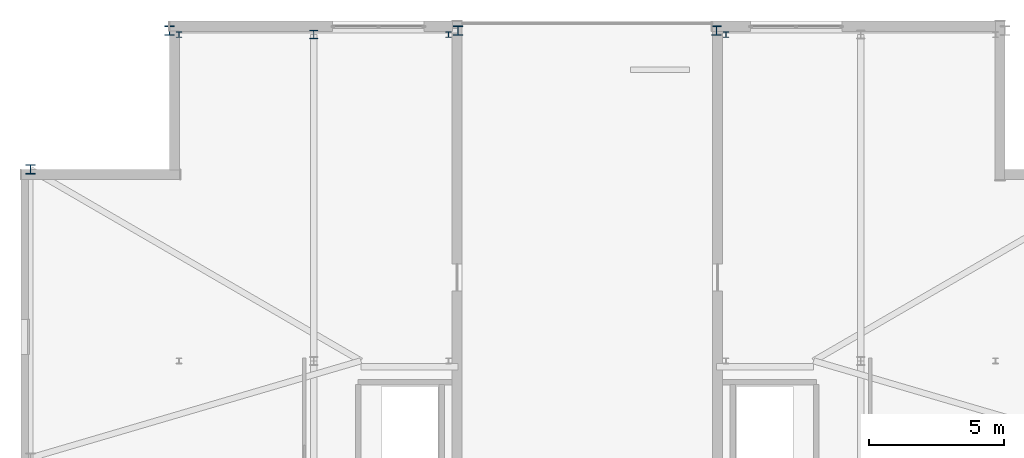
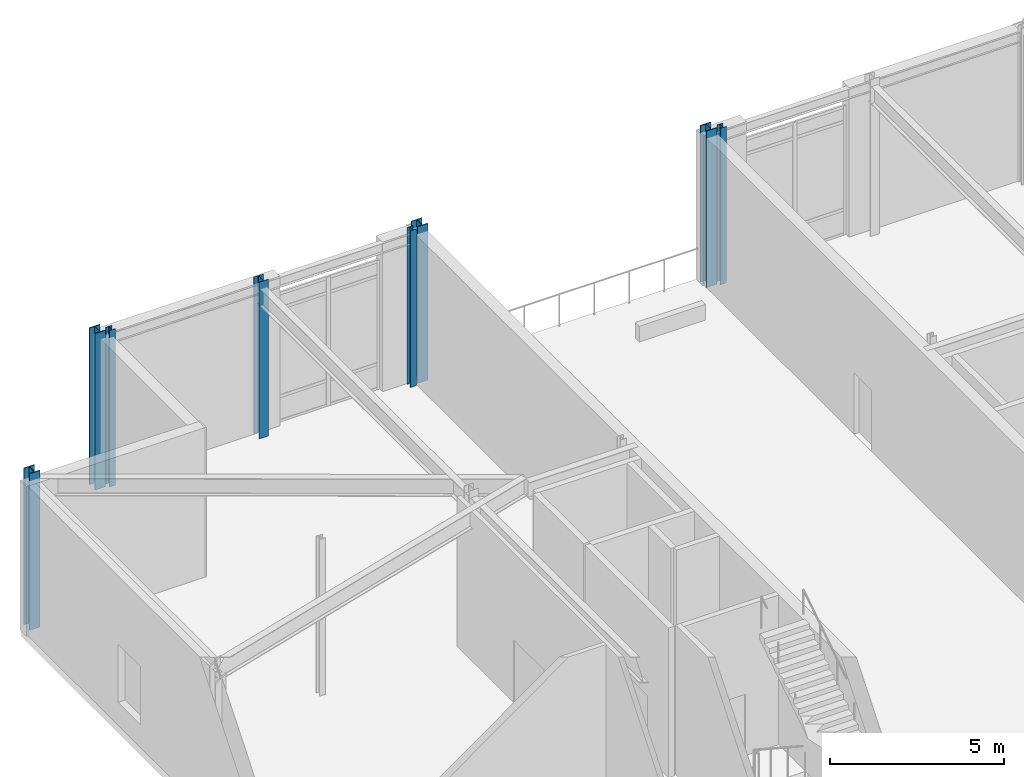
# One storey, part 5 of 16: 8 columns.
"""IFC4 building model written with IfcOpenShell, lengths in metres."""

from ifc_helpers import new_model, si_unit, direction, frame, origin, origin_2d, place, context, subcontext, project, spatial, i_section, extrude, material, material_profile, profile_set, type_object, element, save


model = new_model("IFC4")

# Units and contexts
model_context = context("Model", 3, precision=1e-05, world=origin(), true_north=direction((0.0, 1.0)))
body_context = subcontext(model_context, "Body", "Model", "MODEL_VIEW")
ifc_project = project(units=[si_unit("LENGTHUNIT", "METRE"), si_unit("AREAUNIT", "SQUARE_METRE"), si_unit("VOLUMEUNIT", "CUBIC_METRE"), si_unit("PLANEANGLEUNIT", "RADIAN"), si_unit("MASSUNIT", "GRAM", prefix="KILO")], contexts=[model_context])

# Site, building, storey
site_placement = place(None, origin())
site = spatial("IfcSite", under=ifc_project, at=site_placement, CompositionType="ELEMENT")
building_placement = place(site_placement, origin())
building = spatial("IfcBuilding", under=site, at=building_placement, Name="Cairnveth Concourse Tower", CompositionType="ELEMENT")
storey_placement = place(building_placement, frame((0.0, 0.0, 324.5)))
storey = spatial("IfcBuildingStorey", under=building, at=storey_placement, Name="L89", CompositionType="ELEMENT", Elevation=324.5)

# Columns
ifc_material = material(Name="Steel Grade 350", Category="steel")
ifc_material_profile_1 = material_profile(ifc_material, i_section(OverallWidth=0.202880859375, OverallDepth=0.202880859375, WebThickness=0.00927734375, FlangeThickness=0.01416015625, FilletRadius=0.010009765625, at=origin_2d()), Name="200UC59.5")
ifc_profile_set_1 = profile_set([ifc_material_profile_1], Name="Steel Grade 350")
column_type_1 = type_object("IfcColumnType", Name="PILASTER STEEL COLUMN 200UC59.5", PredefinedType="PILASTER", material=ifc_profile_set_1)
for number, where, z_axis, x_axis, name in (
    (1, (36.85009765625, 59.5, 0.0), (0.0, 0.0, 1.0), (1.0, 0.0, 0.0), "Column CRL-W4 L89"),
    (2, (46.85009765625, 59.5, 0.0), (0.0, 0.0, 1.0), (1.0, 0.0, 0.0), "Column CRR-W4 L89"),
    (3, (57.14990234375, 59.5, 0.0), (0.0, 0.0, 1.0), (1.0, 0.0, 0.0), "Column CRL-E4 L89"),
):
    element("IfcColumn", number, at=place(storey_placement, frame(where, z_axis=z_axis, x_axis=x_axis)), inside=storey, type_object=column_type_1, Name=name, PredefinedType="PILASTER", context=body_context, shape_type="SweptSolid", body=[
        extrude(i_section(OverallWidth=0.202880859375, OverallDepth=0.202880859375, WebThickness=0.00927734375, FlangeThickness=0.01416015625, FilletRadius=0.010009765625, at=origin_2d()), origin(), (0.0, 0.0, 1.0), 5.5),
    ])
ifc_material_profile_2 = material_profile(ifc_material, i_section(OverallWidth=0.306884765625, OverallDepth=0.31494140625, WebThickness=0.011962890625, FlangeThickness=0.018798828125, FilletRadius=0.01611328125, at=origin_2d()), Name="310UC118")
ifc_profile_set_2 = profile_set([ifc_material_profile_2], Name="Steel Grade 350")
column_type_2 = type_object("IfcColumnType", Name="UNIVERSAL STEEL COLUMN 310UC118", PredefinedType="COLUMN", material=ifc_profile_set_2)
column_placement = place(storey_placement, frame((41.85009765625, 59.5, 0.0), z_axis=(0.0, 0.0, 1.0), x_axis=(1.0, 0.0, 0.0)))
element("IfcColumn", 4, at=column_placement, inside=storey, type_object=column_type_2, Name="Column CRM-W4 L89", PredefinedType="COLUMN", context=body_context, shape_type="SweptSolid", body=[
    extrude(i_section(OverallWidth=0.306884765625, OverallDepth=0.31494140625, WebThickness=0.011962890625, FlangeThickness=0.018798828125, FilletRadius=0.01611328125, at=origin_2d()), origin(), (0.0, 0.0, 1.0), 5.5),
])
ifc_material_profile_3 = material_profile(ifc_material, i_section(OverallWidth=0.35009765625, OverallDepth=0.35009765625, WebThickness=0.02001953125, FlangeThickness=0.028076171875, at=origin_2d()), Name="350WC197")
ifc_profile_set_3 = profile_set([ifc_material_profile_3], Name="Steel Grade 350")
column_type_3 = type_object("IfcColumnType", Name="WELDED STEEL COLUMN 350WC197", PredefinedType="COLUMN", material=ifc_profile_set_3)
for number, where, z_axis, x_axis, name in (
    (5, (56.800048828125, 59.64990234375, 0.0), (0.0, 0.0, 1.0), (1.0, 0.0, 0.0), "Column CR-N2 L89"),
    (6, (47.199951171875, 59.64990234375, 0.0), (0.0, 0.0, 1.0), (1.0, 0.0, 0.0), "Column CR-N3 L89"),
    (7, (36.5, 59.64990234375, 0.0), (0.0, 0.0, 1.0), (1.0, 0.0, 0.0), "Column CR-N4 L89"),
    (8, (31.35009765625, 54.5, 0.0), (0.0, 0.0, 1.0), (1.0, 0.0, 0.0), "Column CR-W1 L89"),
):
    element("IfcColumn", number, at=place(storey_placement, frame(where, z_axis=z_axis, x_axis=x_axis)), inside=storey, type_object=column_type_3, Name=name, PredefinedType="COLUMN", context=body_context, shape_type="SweptSolid", body=[
        extrude(i_section(OverallWidth=0.35009765625, OverallDepth=0.35009765625, WebThickness=0.02001953125, FlangeThickness=0.028076171875, at=origin_2d()), origin(), (0.0, 0.0, 1.0), 5.5),
    ])

save(model, "model.ifc")
